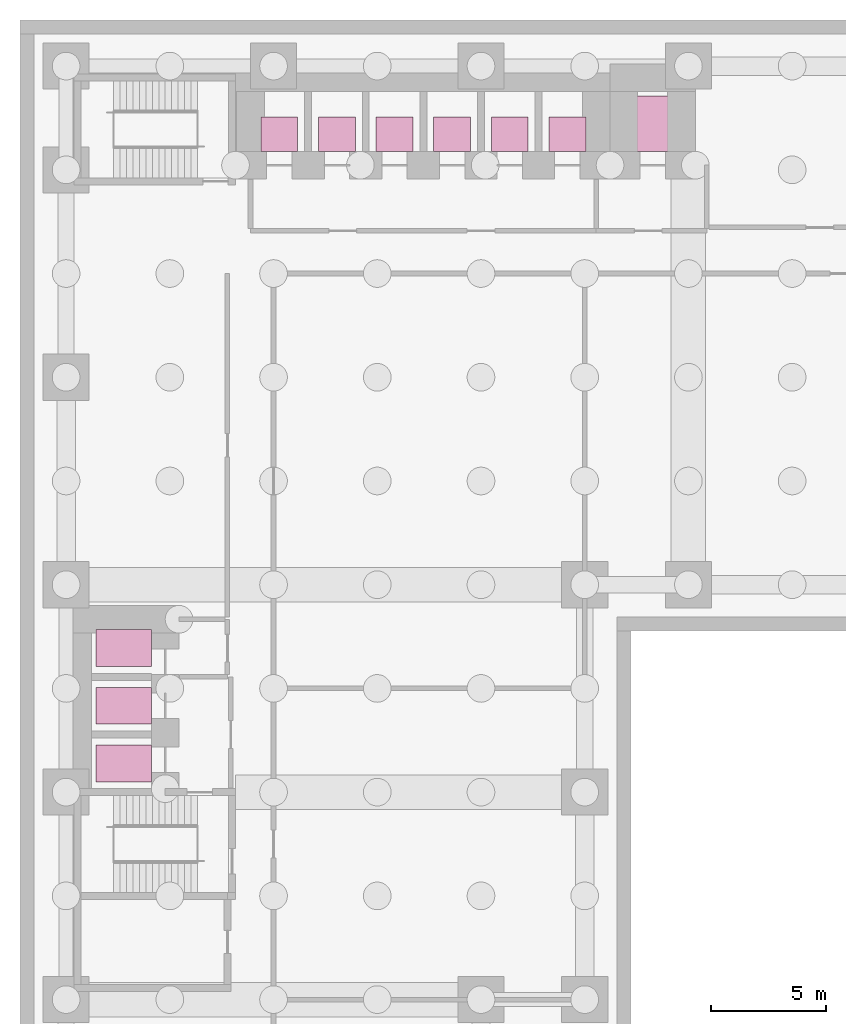
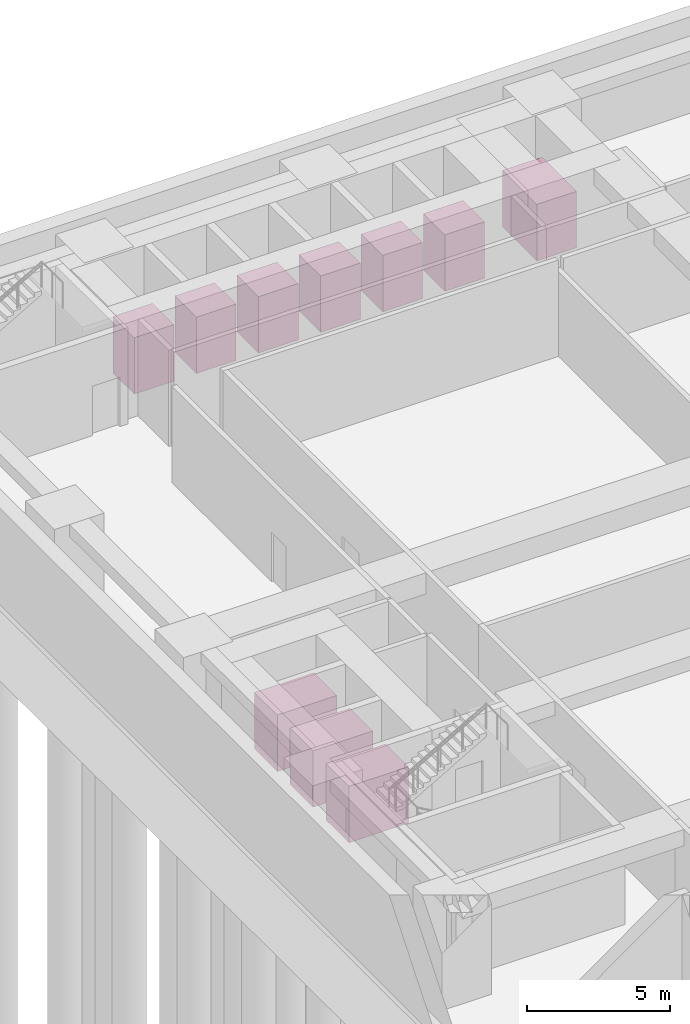
# One storey, part 7 of 7: 10 transport elements.
"""IFC4 building model written with IfcOpenShell, lengths in metres."""

from ifc_helpers import new_model, si_unit, direction, frame, origin, origin_2d, place, context, subcontext, project, spatial, rectangle, extrude, material, type_object, element, save


model = new_model("IFC4")

# Units and contexts
model_context = context("Model", 3, precision=1e-05, world=origin(), true_north=direction((0.0, 1.0)))
body_context = subcontext(model_context, "Body", "Model", "MODEL_VIEW")
ifc_project = project(units=[si_unit("LENGTHUNIT", "METRE"), si_unit("AREAUNIT", "SQUARE_METRE"), si_unit("VOLUMEUNIT", "CUBIC_METRE"), si_unit("PLANEANGLEUNIT", "RADIAN"), si_unit("MASSUNIT", "GRAM", prefix="KILO")], contexts=[model_context])

# Site, building, storey
site_placement = place(None, origin())
site = spatial("IfcSite", under=ifc_project, at=site_placement, CompositionType="ELEMENT")
building_placement = place(site_placement, origin())
building = spatial("IfcBuilding", under=site, at=building_placement, Name="Firuza Court", CompositionType="ELEMENT")
storey_placement = place(building_placement, frame((0.0, 0.0, -9.0)))
storey = spatial("IfcBuildingStorey", under=building, at=storey_placement, Name="B2", CompositionType="ELEMENT", Elevation=-9.0)

# Transport elements
ifc_material_1 = material(Name="Stainless steel 1.4301 car", Category="steel")
transport_element_type_1 = type_object("IfcTransportElementType", Name="Firefighting lift car 1600 x 2400", PredefinedType="ELEVATOR", material=ifc_material_1)
for number, where, z_axis, x_axis, name in (
    (1, (2.5, 30.75, 0.0), (0.0, 0.0, 1.0), (1.0, 0.0, 0.0), "Lift FL1"),
    (2, (2.5, 28.25, 0.0), (0.0, 0.0, 1.0), (1.0, 0.0, 0.0), "Lift FL2"),
):
    element("IfcTransportElement", number, at=place(storey_placement, frame(where, z_axis=z_axis, x_axis=x_axis)), inside=storey, type_object=transport_element_type_1, Name=name, PredefinedType="ELEVATOR", context=body_context, shape_type="SweptSolid", body=[
        extrude(rectangle(XDim=2.39990234375, YDim=1.60009765625, at=origin_2d()), origin(), (0.0, 0.0, 1.0), 2.39990234375),
    ])
transport_element_1_placement = place(storey_placement, frame((25.449951171875, 56.0, 0.0), z_axis=(0.0, 0.0, 1.0), x_axis=(1.0, 0.0, 0.0)))
element("IfcTransportElement", 3, at=transport_element_1_placement, inside=storey, type_object=transport_element_type_1, Name="Lift FL3", PredefinedType="ELEVATOR", context=body_context, shape_type="SweptSolid", body=[
    extrude(rectangle(XDim=1.60009765625, YDim=2.39990234375, at=origin_2d()), origin(), (0.0, 0.0, 1.0), 2.39990234375),
])
ifc_material_2 = material(Name="Stainless steel 1.4301 car", Category="steel")
transport_element_type_2 = type_object("IfcTransportElementType", Name="Passenger lift car 1600 x 1500", PredefinedType="ELEVATOR", material=ifc_material_2)
for number, where, z_axis, x_axis, name in (
    (4, (9.25, 55.550048828125, 0.0), (0.0, 0.0, 1.0), (1.0, 0.0, 0.0), "Lift LB1"),
    (5, (11.75, 55.550048828125, 0.0), (0.0, 0.0, 1.0), (1.0, 0.0, 0.0), "Lift LB2"),
    (6, (14.25, 55.550048828125, 0.0), (0.0, 0.0, 1.0), (1.0, 0.0, 0.0), "Lift LB3"),
    (7, (16.75, 55.550048828125, 0.0), (0.0, 0.0, 1.0), (1.0, 0.0, 0.0), "Lift LB4"),
    (8, (19.25, 55.550048828125, 0.0), (0.0, 0.0, 1.0), (1.0, 0.0, 0.0), "Lift LB5"),
    (9, (21.75, 55.550048828125, 0.0), (0.0, 0.0, 1.0), (1.0, 0.0, 0.0), "Lift LB6"),
):
    element("IfcTransportElement", number, at=place(storey_placement, frame(where, z_axis=z_axis, x_axis=x_axis)), inside=storey, type_object=transport_element_type_2, Name=name, PredefinedType="ELEVATOR", context=body_context, shape_type="SweptSolid", body=[
        extrude(rectangle(XDim=1.60009765625, YDim=1.5, at=origin_2d()), origin(), (0.0, 0.0, 1.0), 2.39990234375),
    ])
ifc_material_3 = material(Name="Stainless steel 1.4301 car", Category="steel")
transport_element_type_3 = type_object("IfcTransportElementType", Name="Passenger lift car 1600 x 2400", PredefinedType="ELEVATOR", material=ifc_material_3)
transport_element_2_placement = place(storey_placement, frame((2.5, 33.25, 0.0), z_axis=(0.0, 0.0, 1.0), x_axis=(1.0, 0.0, 0.0)))
element("IfcTransportElement", 10, at=transport_element_2_placement, inside=storey, type_object=transport_element_type_3, Name="Lift SL1", PredefinedType="ELEVATOR", context=body_context, shape_type="SweptSolid", body=[
    extrude(rectangle(XDim=2.39990234375, YDim=1.60009765625, at=origin_2d()), origin(), (0.0, 0.0, 1.0), 2.39990234375),
])

save(model, "model.ifc")
